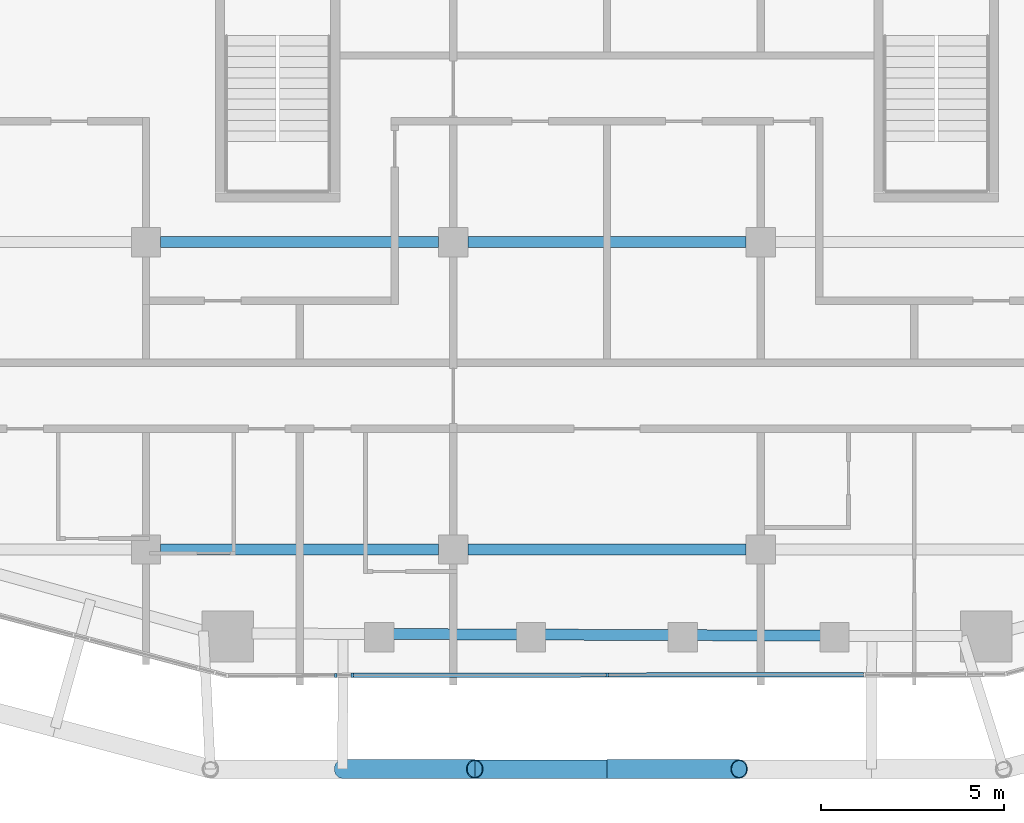
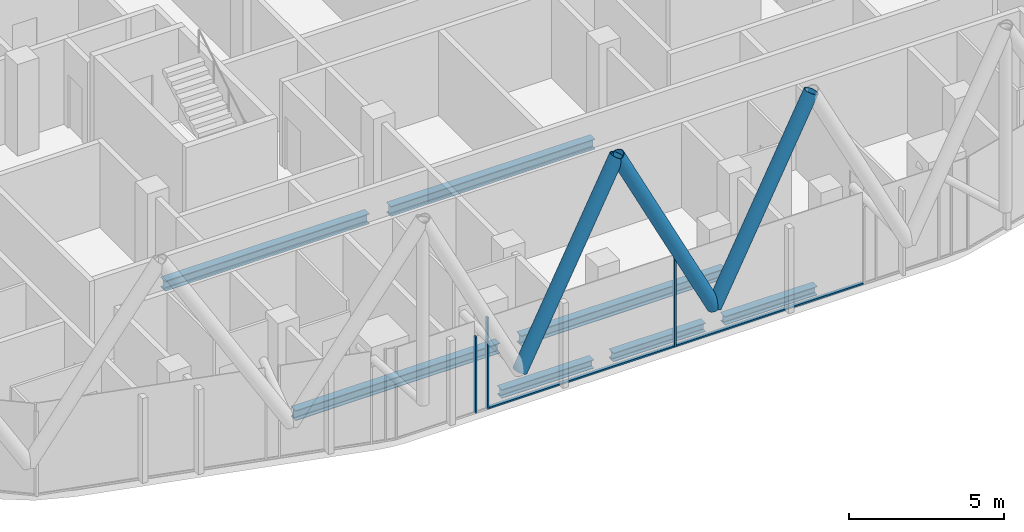
# One storey, part 3 of 31: 8 members, 7 beams, 2 elements without a shape of their own.
"""IFC4 building model written with IfcOpenShell, lengths in metres."""

from ifc_helpers import new_model, si_unit, direction, frame, origin, origin_2d, place, context, subcontext, project, spatial, rectangle, hollow_circle, i_section, extrude, material, layer, layer_set, material_profile, profile_set, type_object, element, aggregate, save


model = new_model("IFC4")

# Units and contexts
model_context = context("Model", 3, precision=1e-05, world=origin(), true_north=direction((0.0, 1.0)))
body_context = subcontext(model_context, "Body", "Model", "MODEL_VIEW")
ifc_project = project(units=[si_unit("LENGTHUNIT", "METRE"), si_unit("AREAUNIT", "SQUARE_METRE"), si_unit("VOLUMEUNIT", "CUBIC_METRE"), si_unit("PLANEANGLEUNIT", "RADIAN"), si_unit("MASSUNIT", "GRAM", prefix="KILO")], contexts=[model_context])

# Site, building, storey
site_placement = place(None, origin())
site = spatial("IfcSite", under=ifc_project, at=site_placement, CompositionType="ELEMENT")
building_placement = place(site_placement, origin())
building = spatial("IfcBuilding", under=site, at=building_placement, Name="Marenta Gate Hotel Tower", CompositionType="ELEMENT")
storey_placement = place(building_placement, frame((0.0, 0.0, 191.300048828125)))
storey = spatial("IfcBuildingStorey", under=building, at=storey_placement, Name="L43", CompositionType="ELEMENT", Elevation=191.300048828125)

# Members
ifc_material_1 = material(Name="Steel S355J2W", Category="steel")
ifc_material_profile_1 = material_profile(ifc_material_1, hollow_circle(Radius=0.25390625, WallThickness=0.02490234375, at=origin_2d()), Name="CHS 508x25")
ifc_profile_set_1 = profile_set([ifc_material_profile_1], Name="Steel S355J2W")
member_type_1 = type_object("IfcMemberType", Name="Diagrid diagonal Z3 CHS 508x25", PredefinedType="BRACE", material=ifc_profile_set_1)
for number, where, z_axis, x_axis, name in (
    (1, (0.0, -31.199951171875, 3.139892578125), (0.44851025603, 0.0, 0.893777685018), (0.0, 1.0, 0.0), "L43-DG-17"),
    (2, (0.0, -31.199951171875, 3.139892578125), (-0.44851025603, 0.0, 0.893777685018), (0.0, -1.0, 0.0), "L43-DG-18"),
    (3, (-7.22607421875, -31.199951171875, 3.139892578125), (0.44851025603, 0.0, 0.893777685018), (0.0, 1.0, 0.0), "L43-DG-19"),
):
    element("IfcMember", number, at=place(storey_placement, frame(where, z_axis=z_axis, x_axis=x_axis)), inside=storey, type_object=member_type_1, Name=name, PredefinedType="BRACE", context=body_context, shape_type="SweptSolid", body=[
        extrude(hollow_circle(Radius=0.25390625, WallThickness=0.02490234375, at=origin_2d()), origin(), (0.0, 0.0, 1.0), 8.0556640625),
    ])

# Beams
ifc_material_2 = material(Name="Steel S355", Category="steel")
ifc_material_profile_2 = material_profile(ifc_material_2, i_section(OverallWidth=0.300048828125, OverallDepth=0.340087890625, WebThickness=0.011962890625, FlangeThickness=0.021484375, FilletRadius=0.027099609375, at=origin_2d()), Name="HEB 340")
ifc_profile_set_2 = profile_set([ifc_material_profile_2], Name="Steel S355")
beam_type_1 = type_object("IfcBeamType", Name="Edge beam HEB 340", PredefinedType="SPANDREL", material=ifc_profile_set_2)
for number, where, z_axis, x_axis, name in (
    (4, (5.860107421875, -27.555419921875, -0.429931640625), (-0.999992599416, 0.003847221457, 0.0), (-0.003847221457, -0.999992599416, 0.0), "L43-EB-33"),
    (5, (1.71337890625, -27.539306640625, -0.429931640625), (-0.999992599416, 0.003847221457, 0.0), (-0.003847221457, -0.999992599416, 0.0), "L43-EB-34"),
    (6, (-2.433349609375, -27.5234375, -0.429931640625), (-0.999992599416, 0.003847221457, 0.0), (-0.003847221457, -0.999992599416, 0.0), "L43-EB-35"),
):
    element("IfcBeam", number, at=place(storey_placement, frame(where, z_axis=z_axis, x_axis=x_axis)), inside=storey, type_object=beam_type_1, Name=name, PredefinedType="SPANDREL", context=body_context, shape_type="SweptSolid", body=[
        extrude(i_section(OverallWidth=0.300048828125, OverallDepth=0.340087890625, WebThickness=0.011962890625, FlangeThickness=0.021484375, FilletRadius=0.027099609375, at=origin_2d()), origin(), (0.0, 0.0, 1.0), 3.4267578125),
    ])
ifc_material_3 = material(Name="Steel S355", Category="steel")
ifc_material_profile_3 = material_profile(ifc_material_3, i_section(OverallWidth=0.300048828125, OverallDepth=0.39990234375, WebThickness=0.013427734375, FlangeThickness=0.02392578125, FilletRadius=0.027099609375, at=origin_2d()), Name="HEB 400")
ifc_profile_set_3 = profile_set([ifc_material_profile_3], Name="Steel S355")
beam_type_2 = type_object("IfcBeamType", Name="Girder HEB 400", PredefinedType="BEAM", material=ifc_profile_set_3)
beam_1_placement = place(storey_placement, frame((-12.199951171875, -25.199951171875, -0.4599609375), z_axis=(1.0, 0.0, 0.0), x_axis=(0.0, 1.0, 0.0)))
element("IfcBeam", 7, at=beam_1_placement, inside=storey, type_object=beam_type_2, Name="L43-GD-2", PredefinedType="BEAM", context=body_context, shape_type="SweptSolid", body=[
    extrude(i_section(OverallWidth=0.300048828125, OverallDepth=0.39990234375, WebThickness=0.013427734375, FlangeThickness=0.02392578125, FilletRadius=0.027099609375, at=origin_2d()), origin(), (0.0, 0.0, 1.0), 7.599853515625),
])
beam_2_placement = place(storey_placement, frame((-3.800048828125, -25.199951171875, -0.4599609375), z_axis=(1.0, 0.0, 0.0), x_axis=(0.0, 1.0, 0.0)))
element("IfcBeam", 8, at=beam_2_placement, inside=storey, type_object=beam_type_2, Name="L43-GD-3", PredefinedType="BEAM", context=body_context, shape_type="SweptSolid", body=[
    extrude(i_section(OverallWidth=0.300048828125, OverallDepth=0.39990234375, WebThickness=0.013427734375, FlangeThickness=0.02392578125, FilletRadius=0.027099609375, at=origin_2d()), origin(), (0.0, 0.0, 1.0), 7.60009765625),
])
beam_3_placement = place(storey_placement, frame((-12.199951171875, -16.800048828125, -0.4599609375), z_axis=(1.0, 0.0, 0.0), x_axis=(0.0, 1.0, 0.0)))
element("IfcBeam", 9, at=beam_3_placement, inside=storey, type_object=beam_type_2, Name="L43-GD-8", PredefinedType="BEAM", context=body_context, shape_type="SweptSolid", body=[
    extrude(i_section(OverallWidth=0.300048828125, OverallDepth=0.39990234375, WebThickness=0.013427734375, FlangeThickness=0.02392578125, FilletRadius=0.027099609375, at=origin_2d()), origin(), (0.0, 0.0, 1.0), 7.599853515625),
])
beam_4_placement = place(storey_placement, frame((-3.800048828125, -16.800048828125, -0.4599609375), z_axis=(1.0, 0.0, 0.0), x_axis=(0.0, 1.0, 0.0)))
element("IfcBeam", 10, at=beam_4_placement, inside=storey, type_object=beam_type_2, Name="L43-GD-9", PredefinedType="BEAM", context=body_context, shape_type="SweptSolid", body=[
    extrude(i_section(OverallWidth=0.300048828125, OverallDepth=0.39990234375, WebThickness=0.013427734375, FlangeThickness=0.02392578125, FilletRadius=0.027099609375, at=origin_2d()), origin(), (0.0, 0.0, 1.0), 7.60009765625),
])

# Curtain wall, member
ifc_material_4 = material(Name="Tinted insulated glass in bronze anodised frame", Category="glass")
ifc_layer = layer(ifc_material_4, 0.1201171875)
ifc_layer_set = layer_set([ifc_layer], Name="Tinted insulated glass in bronze anodised frame")
curtain_wall_type = type_object("IfcCurtainWallType", Name="Tower unitised curtain wall CW1", PredefinedType="NOTDEFINED", material=ifc_layer_set)
curtain_wall_1_placement = place(storey_placement, origin())
curtain_wall_1 = element("IfcCurtainWall", 11, at=curtain_wall_1_placement, inside=storey, type_object=curtain_wall_type, Name="CW1 run G20", PredefinedType="NOTDEFINED")
ifc_material_5 = material(Name="Bronze anodised aluminium", Category="aluminium")
ifc_material_profile_4 = material_profile(ifc_material_5, rectangle(XDim=0.1201171875, YDim=0.06005859375, at=origin_2d()), Name="Mullion CW1 60x120 bronze anodised aluminium")
ifc_profile_set_4 = profile_set([ifc_material_profile_4], Name="Bronze anodised aluminium")
member_type_2 = type_object("IfcMemberType", Name="Mullion CW1 60x120 bronze anodised aluminium", PredefinedType="MULLION", material=ifc_profile_set_4)
member_1_placement = place(storey_placement, frame((-7.41259765625, -28.642578125, 0.0), z_axis=(0.0, 0.0, 1.0), x_axis=(-0.001766001654, 0.999998440618, 0.0)))
member_1 = element("IfcMember", 12, at=member_1_placement, type_object=member_type_2, Name="CW1 mullion 1", PredefinedType="MULLION", context=body_context, shape_type="SweptSolid", body=[
    extrude(rectangle(XDim=0.1201171875, YDim=0.06005859375, at=origin_2d()), origin(), (0.0, 0.0, 1.0), 3.00048828125),
])
aggregate(curtain_wall_1, [member_1])

# Curtain wall, members
curtain_wall_2_placement = place(storey_placement, origin())
curtain_wall_2 = element("IfcCurtainWall", 13, at=curtain_wall_2_placement, inside=storey, type_object=curtain_wall_type, Name="CW1 run G21", PredefinedType="NOTDEFINED")
member_2_placement = place(storey_placement, frame((-6.959716796875, -28.641845703125, 0.0), z_axis=(0.0, 0.0, 1.0), x_axis=(-0.001635817263, 0.99999866205, 0.0)))
member_2 = element("IfcMember", 14, at=member_2_placement, type_object=member_type_2, Name="CW1 mullion 1", PredefinedType="MULLION", context=body_context, shape_type="SweptSolid", body=[
    extrude(rectangle(XDim=0.1201171875, YDim=0.06005859375, at=origin_2d()), origin(), (0.0, 0.0, 1.0), 3.599853515625),
])
member_3_placement = place(storey_placement, frame((0.009765625, -28.63037109375, 0.0), z_axis=(0.0, 0.0, 1.0), x_axis=(-0.001635817263, 0.99999866205, 0.0)))
member_3 = element("IfcMember", 15, at=member_3_placement, type_object=member_type_2, Name="CW1 mullion 2", PredefinedType="MULLION", context=body_context, shape_type="SweptSolid", body=[
    extrude(rectangle(XDim=0.1201171875, YDim=0.06005859375, at=origin_2d()), origin(), (0.0, 0.0, 1.0), 3.599853515625),
])
ifc_material_6 = material(Name="Bronze anodised aluminium", Category="aluminium")
ifc_material_profile_5 = material_profile(ifc_material_6, rectangle(XDim=0.1201171875, YDim=0.06005859375, at=origin_2d()), Name="Transom CW1 60x120 bronze anodised aluminium")
ifc_profile_set_5 = profile_set([ifc_material_profile_5], Name="Bronze anodised aluminium")
member_type_3 = type_object("IfcMemberType", Name="Transom CW1 60x120 bronze anodised aluminium", PredefinedType="USERDEFINED", material=ifc_profile_set_5)
member_4_placement = place(storey_placement, frame((-6.9296875, -28.6416015625, 0.030029296875), z_axis=(0.999998679066, 0.001625382115, 0.0), x_axis=(-0.001625382115, 0.999998679066, 0.0)))
member_4 = element("IfcMember", 16, at=member_4_placement, type_object=member_type_3, Name="CW1 transom 1.1", ObjectType="TRANSOM", PredefinedType="USERDEFINED", context=body_context, shape_type="SweptSolid", body=[
    extrude(rectangle(XDim=0.1201171875, YDim=0.06005859375, at=origin_2d()), origin(), (0.0, 0.0, 1.0), 6.909423828125),
])
member_5_placement = place(storey_placement, frame((0.039794921875, -28.63037109375, 0.030029296875), z_axis=(0.999998644769, 0.001646347776, 0.0), x_axis=(-0.001646347776, 0.999998644769, 0.0)))
member_5 = element("IfcMember", 17, at=member_5_placement, type_object=member_type_3, Name="CW1 transom 2.1", ObjectType="TRANSOM", PredefinedType="USERDEFINED", context=body_context, shape_type="SweptSolid", body=[
    extrude(rectangle(XDim=0.1201171875, YDim=0.06005859375, at=origin_2d()), origin(), (0.0, 0.0, 1.0), 6.9697265625),
])
aggregate(curtain_wall_2, [member_2, member_3, member_4, member_5])

save(model, "model.ifc")
